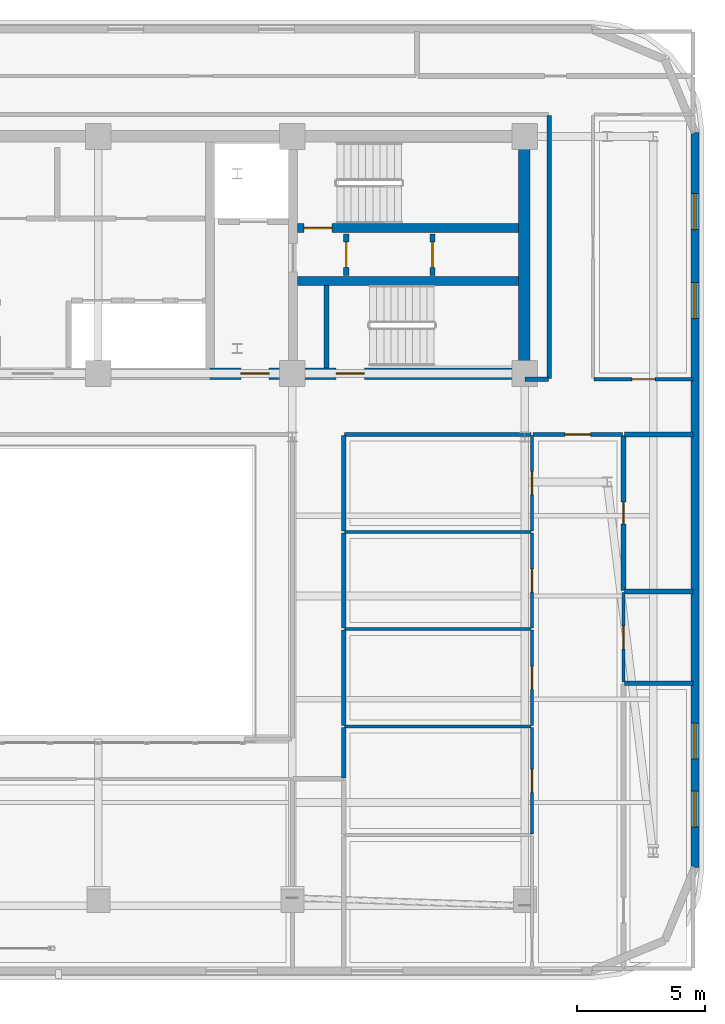
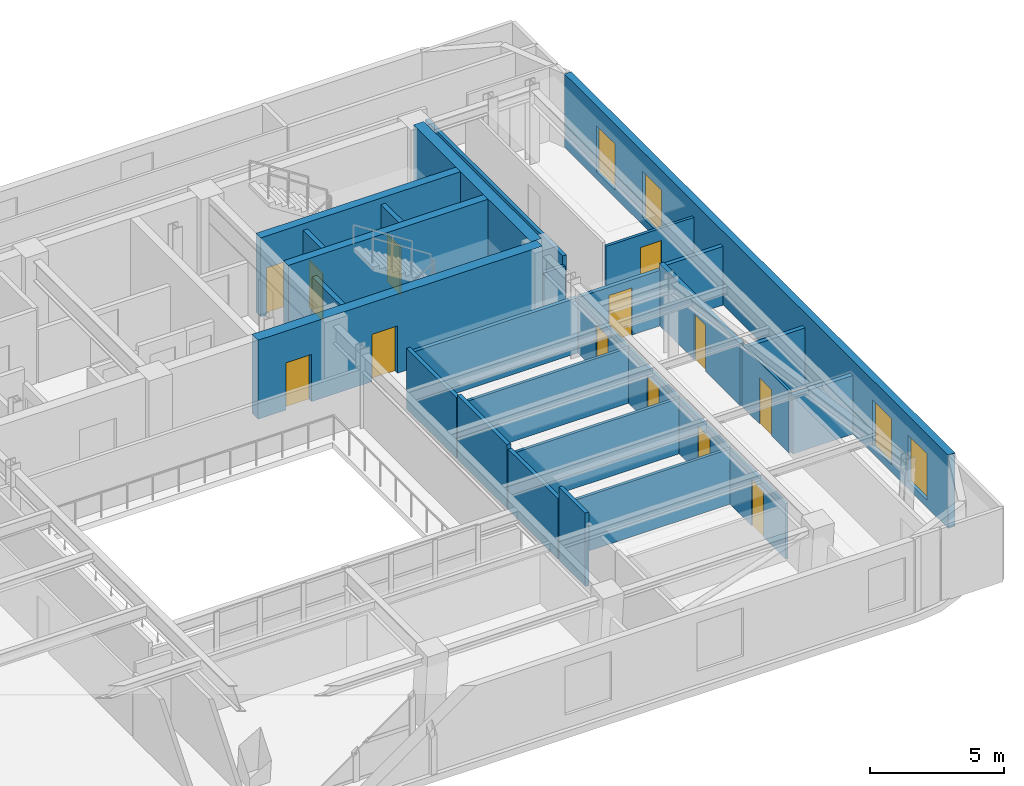
# One storey, part 8 of 13: 29 walls, 13 doors, 4 windows, 17 openings.
"""IFC4 building model written with IfcOpenShell, lengths in metres."""

from ifc_helpers import new_model, si_unit, direction, frame, frame_2d, origin, place, context, subcontext, project, spatial, rectangle, extrude, material, layer, layer_set, type_object, element, fill, save


model = new_model("IFC4")

# Units and contexts
model_context = context("Model", 3, precision=1e-05, world=origin(), true_north=direction((0.0, 1.0)))
body_context = subcontext(model_context, "Body", "Model", "MODEL_VIEW")
ifc_project = project(units=[si_unit("LENGTHUNIT", "METRE"), si_unit("AREAUNIT", "SQUARE_METRE"), si_unit("VOLUMEUNIT", "CUBIC_METRE"), si_unit("PLANEANGLEUNIT", "RADIAN"), si_unit("MASSUNIT", "GRAM", prefix="KILO")], contexts=[model_context])

# Site, building, storey
site_placement = place(None, origin())
site = spatial("IfcSite", under=ifc_project, at=site_placement, CompositionType="ELEMENT")
building_placement = place(site_placement, origin())
building = spatial("IfcBuilding", under=site, at=building_placement, Name="Zarnavel Station Tower", CompositionType="ELEMENT")
storey_placement = place(building_placement, frame((0.0, 0.0, 207.60009765625)))
storey = spatial("IfcBuildingStorey", under=building, at=storey_placement, Name="L56", CompositionType="ELEMENT", Elevation=207.60009765625)

# Wall, opening, door
ifc_material_1 = material(Name="Concrete C50/60", Category="concrete")
ifc_layer_1 = layer(ifc_material_1, 0.35009765625)
ifc_layer_set_1 = layer_set([ifc_layer_1], Name="CW_350")
wall_type_1 = type_object("IfcWallType", Name="CW_350", PredefinedType="SHEAR", material=ifc_layer_set_1)
wall_1_placement = place(storey_placement, frame((45.155029296875, 33.47998046875, 0.0), z_axis=(0.0, 0.0, 1.0), x_axis=(-1.0, 0.0, 0.0)))
wall_1 = element("IfcWall", 1, at=wall_1_placement, inside=storey, type_object=wall_type_1, Name="L56 Rear Core Shear Wall DIV-H2", PredefinedType="SHEAR", context=body_context, shape_type="SweptSolid", body=[
    extrude(rectangle(XDim=8.60009765625, YDim=0.35009765625, at=frame_2d((4.300048828125, 0.0))), origin(), (0.0, 0.0, 1.0), 3.599853515625),
])
opening_1_placement = place(wall_1_placement, frame((7.2548828125, 0.0, 0.0)))
opening_1 = element("IfcOpeningElement", 2, at=opening_1_placement, cuts=wall_1, Name="Opening FD01", PredefinedType="OPENING", context=body_context, shape_type="SweptSolid", body=[
    extrude(rectangle(XDim=1.10009765625, YDim=2.14990234375, at=frame_2d((0.550048828125, 1.074951171875))), frame((0.0, 0.18505859375, 0.0), z_axis=(0.0, -1.0, 0.0), x_axis=(1.0, 0.0, 0.0)), (0.0, 0.0, 1.0), 0.3701171875),
])
ifc_material_2 = material(Name="Painted Galvanised Steel and Hardwood Leaf", Category="steel")
door_type_1 = type_object("IfcDoorType", Name="ID_STAIR_1100", OperationType="NOTDEFINED", PredefinedType="DOOR", material=ifc_material_2)
door_1_placement = place(opening_1_placement, origin())
door_1 = element("IfcDoor", 3, at=door_1_placement, inside=storey, type_object=door_type_1, Name="L56 Stair ST2 Lobby Fire Door", OperationType="SINGLE_SWING_RIGHT", OverallHeight=2.14990234375, OverallWidth=1.10009765625, PredefinedType="DOOR", context=body_context, shape_type="SweptSolid", body=[
    extrude(rectangle(XDim=1.10009765625, YDim=2.14990234375, at=frame_2d((0.550048828125, 1.074951171875))), frame((0.0, 0.02490234375, 0.0), z_axis=(0.0, -1.0, 0.0), x_axis=(1.0, 0.0, 0.0)), (0.0, 0.0, 1.0), 0.050048828125),
])
fill(opening_1, door_1)

# Wall
wall_2_placement = place(storey_placement, frame((36.554931640625, 31.419921875, 0.0), z_axis=(0.0, 0.0, 1.0), x_axis=(1.0, 0.0, 0.0)))
element("IfcWall", 4, at=wall_2_placement, inside=storey, type_object=wall_type_1, Name="L56 Rear Core Shear Wall DIV-H3", PredefinedType="SHEAR", context=body_context, shape_type="SweptSolid", body=[
    extrude(rectangle(XDim=8.60009765625, YDim=0.35009765625, at=frame_2d((4.300048828125, 0.0))), origin(), (0.0, 0.0, 1.0), 3.599853515625),
])

# Wall, openings, doors
ifc_material_3 = material(Name="Concrete C50/60", Category="concrete")
ifc_layer_2 = layer(ifc_material_3, 0.449951171875)
ifc_layer_set_2 = layer_set([ifc_layer_2], Name="CW_450")
wall_type_2 = type_object("IfcWallType", Name="CW_450", PredefinedType="SHEAR", material=ifc_layer_set_2)
wall_3_placement = place(storey_placement, frame((45.3798828125, 27.820068359375, 0.0), z_axis=(0.0, 0.0, 1.0), x_axis=(-1.0, 0.0, 0.0)))
wall_3 = element("IfcWall", 5, at=wall_3_placement, inside=storey, type_object=wall_type_2, Name="L56 Rear Core Shear Wall S-E", PredefinedType="SHEAR", context=body_context, shape_type="SweptSolid", body=[
    extrude(rectangle(XDim=12.22998046875, YDim=0.449951171875, at=frame_2d((6.114990234375, 0.0))), origin(), (0.0, 0.0, 1.0), 3.599853515625),
])
opening_2_placement = place(wall_3_placement, frame((9.929931640625, 0.0, 0.0)))
opening_2 = element("IfcOpeningElement", 6, at=opening_2_placement, cuts=wall_3, Name="Opening FD01", PredefinedType="OPENING", context=body_context, shape_type="SweptSolid", body=[
    extrude(rectangle(XDim=1.10009765625, YDim=2.14990234375, at=frame_2d((0.550048828125, 1.074951171875))), frame((0.0, 0.23486328125, 0.0), z_axis=(0.0, -1.0, 0.0), x_axis=(1.0, 0.0, 0.0)), (0.0, 0.0, 1.0), 0.469970703125),
])
opening_3_placement = place(wall_3_placement, frame((6.22998046875, 0.0, 0.0)))
opening_3 = element("IfcOpeningElement", 7, at=opening_3_placement, cuts=wall_3, Name="Opening FD01", PredefinedType="OPENING", context=body_context, shape_type="SweptSolid", body=[
    extrude(rectangle(XDim=1.10009765625, YDim=2.14990234375, at=frame_2d((0.550048828125, 1.074951171875))), frame((0.0, 0.23486328125, 0.0), z_axis=(0.0, -1.0, 0.0), x_axis=(1.0, 0.0, 0.0)), (0.0, 0.0, 1.0), 0.469970703125),
])
door_2_placement = place(opening_2_placement, origin())
door_2 = element("IfcDoor", 8, at=door_2_placement, inside=storey, type_object=door_type_1, Name="L56 East Firefighting Lobby Door", OperationType="SINGLE_SWING_LEFT", OverallHeight=2.14990234375, OverallWidth=1.10009765625, PredefinedType="DOOR", context=body_context, shape_type="SweptSolid", body=[
    extrude(rectangle(XDim=1.10009765625, YDim=2.14990234375, at=frame_2d((0.550048828125, 1.074951171875))), frame((0.0, 0.02490234375, 0.0), z_axis=(0.0, -1.0, 0.0), x_axis=(1.0, 0.0, 0.0)), (0.0, 0.0, 1.0), 0.050048828125),
])
fill(opening_2, door_2)
door_3_placement = place(opening_3_placement, origin())
door_3 = element("IfcDoor", 9, at=door_3_placement, inside=storey, type_object=door_type_1, Name="L56 Stair ST3 Corridor Fire Door", OperationType="SINGLE_SWING_RIGHT", OverallHeight=2.14990234375, OverallWidth=1.10009765625, PredefinedType="DOOR", context=body_context, shape_type="SweptSolid", body=[
    extrude(rectangle(XDim=1.10009765625, YDim=2.14990234375, at=frame_2d((0.550048828125, 1.074951171875))), frame((0.0, 0.02490234375, 0.0), z_axis=(0.0, -1.0, 0.0), x_axis=(1.0, 0.0, 0.0)), (0.0, 0.0, 1.0), 0.050048828125),
])
fill(opening_3, door_3)

# Wall
wall_4_placement = place(storey_placement, frame((45.3798828125, 28.044921875, 0.0), z_axis=(0.0, 0.0, 1.0), x_axis=(0.0, 1.0, 0.0)))
element("IfcWall", 10, at=wall_4_placement, inside=storey, type_object=wall_type_2, Name="L56 Rear Core Shear Wall E", PredefinedType="SHEAR", context=body_context, shape_type="SweptSolid", body=[
    extrude(rectangle(XDim=8.780029296875, YDim=0.449951171875, at=frame_2d((4.39013671875, 0.0))), origin(), (0.0, 0.0, 1.0), 3.599853515625),
])

# Wall, openings, windows
ifc_material_4 = material(Name="Precast concrete C45/55 (Dark Basalt Finish)", Category="masonry")
ifc_layer_3 = layer(ifc_material_4, 0.300048828125)
ifc_layer_set_3 = layer_set([ifc_layer_3], Name="EW_BASALT_300")
wall_type_3 = type_object("IfcWallType", Name="EW_BASALT_300", PredefinedType="SOLIDWALL", material=ifc_layer_set_3)
wall_5_placement = place(storey_placement, frame((52.02001953125, 37.199951171875, 0.0), z_axis=(0.0, 0.0, 1.0), x_axis=(0.0, -1.0, 0.0)))
wall_5 = element("IfcWall", 11, at=wall_5_placement, inside=storey, type_object=wall_type_3, Name="L56 Exterior Basalt Masonry Frame Wall 03", PredefinedType="SOLIDWALL", context=body_context, shape_type="SweptSolid", body=[
    extrude(rectangle(XDim=28.599853515625, YDim=0.300048828125, at=frame_2d((14.2998046875, 0.0))), origin(), (0.0, 0.0, 1.0), 3.33984375),
])
opening_4_placement = place(wall_5_placement, frame((2.3798828125, 0.0, 0.340087890625)))
opening_4 = element("IfcOpeningElement", 12, at=opening_4_placement, cuts=wall_5, Name="Opening WN04", PredefinedType="OPENING", context=body_context, shape_type="SweptSolid", body=[
    extrude(rectangle(XDim=1.39990234375, YDim=2.10009765625, at=frame_2d((0.699951171875, 1.050048828125))), frame((0.0, 0.159912109375, 0.0), z_axis=(0.0, -1.0, 0.0), x_axis=(1.0, 0.0, 0.0)), (0.0, 0.0, 1.0), 0.320068359375),
])
opening_5_placement = place(wall_5_placement, frame((5.840087890625, 0.0, 0.340087890625)))
opening_5 = element("IfcOpeningElement", 13, at=opening_5_placement, cuts=wall_5, Name="Opening WN04", PredefinedType="OPENING", context=body_context, shape_type="SweptSolid", body=[
    extrude(rectangle(XDim=1.39990234375, YDim=2.10009765625, at=frame_2d((0.699951171875, 1.050048828125))), frame((0.0, 0.159912109375, 0.0), z_axis=(0.0, -1.0, 0.0), x_axis=(1.0, 0.0, 0.0)), (0.0, 0.0, 1.0), 0.320068359375),
])
opening_6_placement = place(wall_5_placement, frame((22.979248046875, 0.0, 0.340087890625)))
opening_6 = element("IfcOpeningElement", 14, at=opening_6_placement, cuts=wall_5, Name="Opening WN04", PredefinedType="OPENING", context=body_context, shape_type="SweptSolid", body=[
    extrude(rectangle(XDim=1.39990234375, YDim=2.10009765625, at=frame_2d((0.699951171875, 1.050048828125))), frame((0.0, 0.159912109375, 0.0), z_axis=(0.0, -1.0, 0.0), x_axis=(1.0, 0.0, 0.0)), (0.0, 0.0, 1.0), 0.320068359375),
])
opening_7_placement = place(wall_5_placement, frame((25.629638671875, 0.0, 0.340087890625)))
opening_7 = element("IfcOpeningElement", 15, at=opening_7_placement, cuts=wall_5, Name="Opening WN04", PredefinedType="OPENING", context=body_context, shape_type="SweptSolid", body=[
    extrude(rectangle(XDim=1.39990234375, YDim=2.10009765625, at=frame_2d((0.699951171875, 1.050048828125))), frame((0.0, 0.159912109375, 0.0), z_axis=(0.0, -1.0, 0.0), x_axis=(1.0, 0.0, 0.0)), (0.0, 0.0, 1.0), 0.320068359375),
])
ifc_material_5 = material(Name="Thermally Broken Black Aluminium and Low-E Dark Glass", Category="aluminium")
window_type = type_object("IfcWindowType", Name="WN_1400x2100", PartitioningType="DOUBLE_PANEL_VERTICAL", PredefinedType="WINDOW", material=ifc_material_5)
window_1_placement = place(opening_4_placement, origin())
window_1 = element("IfcWindow", 16, at=window_1_placement, inside=storey, type_object=window_type, Name="L56 Recessed Facade Window 01", OverallHeight=2.10009765625, OverallWidth=1.39990234375, PartitioningType="SINGLE_PANEL", PredefinedType="WINDOW", context=body_context, shape_type="SweptSolid", body=[
    extrude(rectangle(XDim=1.39990234375, YDim=2.10009765625, at=frame_2d((0.699951171875, 1.050048828125))), frame((0.0, 0.030029296875, 0.0), z_axis=(0.0, -1.0, 0.0), x_axis=(1.0, 0.0, 0.0)), (0.0, 0.0, 1.0), 0.06005859375),
])
fill(opening_4, window_1)
window_2_placement = place(opening_5_placement, origin())
window_2 = element("IfcWindow", 17, at=window_2_placement, inside=storey, type_object=window_type, Name="L56 Recessed Facade Window 02", OverallHeight=2.10009765625, OverallWidth=1.39990234375, PartitioningType="SINGLE_PANEL", PredefinedType="WINDOW", context=body_context, shape_type="SweptSolid", body=[
    extrude(rectangle(XDim=1.39990234375, YDim=2.10009765625, at=frame_2d((0.699951171875, 1.050048828125))), frame((0.0, 0.030029296875, 0.0), z_axis=(0.0, -1.0, 0.0), x_axis=(1.0, 0.0, 0.0)), (0.0, 0.0, 1.0), 0.06005859375),
])
fill(opening_5, window_2)
window_3_placement = place(opening_6_placement, origin())
window_3 = element("IfcWindow", 18, at=window_3_placement, inside=storey, type_object=window_type, Name="L56 Recessed Facade Window 03", OverallHeight=2.10009765625, OverallWidth=1.39990234375, PartitioningType="SINGLE_PANEL", PredefinedType="WINDOW", context=body_context, shape_type="SweptSolid", body=[
    extrude(rectangle(XDim=1.39990234375, YDim=2.10009765625, at=frame_2d((0.699951171875, 1.050048828125))), frame((0.0, 0.030029296875, 0.0), z_axis=(0.0, -1.0, 0.0), x_axis=(1.0, 0.0, 0.0)), (0.0, 0.0, 1.0), 0.06005859375),
])
fill(opening_6, window_3)
window_4_placement = place(opening_7_placement, origin())
window_4 = element("IfcWindow", 19, at=window_4_placement, inside=storey, type_object=window_type, Name="L56 Recessed Facade Window 04", OverallHeight=2.10009765625, OverallWidth=1.39990234375, PartitioningType="SINGLE_PANEL", PredefinedType="WINDOW", context=body_context, shape_type="SweptSolid", body=[
    extrude(rectangle(XDim=1.39990234375, YDim=2.10009765625, at=frame_2d((0.699951171875, 1.050048828125))), frame((0.0, 0.030029296875, 0.0), z_axis=(0.0, -1.0, 0.0), x_axis=(1.0, 0.0, 0.0)), (0.0, 0.0, 1.0), 0.06005859375),
])
fill(opening_7, window_4)

# Wall, opening, door
ifc_material_6 = material(Name="Gypsum Twin-Stud Acoustic Fire Partition", Category="concrete")
ifc_layer_4 = layer(ifc_material_6, 0.159912109375)
ifc_layer_set_4 = layer_set([ifc_layer_4], Name="PT_DEMISE_160")
wall_type_4 = type_object("IfcWallType", Name="PT_DEMISE_160", PredefinedType="PARTITIONING", material=ifc_layer_set_4)
wall_6_placement = place(storey_placement, frame((45.720947265625, 25.449951171875, 0.0), z_axis=(0.0, 0.0, 1.0), x_axis=(1.0, 0.0, 0.0)))
wall_6 = element("IfcWall", 20, at=wall_6_placement, inside=storey, type_object=wall_type_4, Name="L56 Partition COR-S-UE1LV", PredefinedType="PARTITIONING", context=body_context, shape_type="SweptSolid", body=[
    extrude(rectangle(XDim=3.47900390625, YDim=0.159912109375, at=frame_2d((1.739501953125, 0.0))), origin(), (0.0, 0.0, 1.0), 2.52001953125),
])
opening_8_placement = place(wall_6_placement, frame((1.239501953125, 0.0, 0.0)))
opening_8 = element("IfcOpeningElement", 21, at=opening_8_placement, cuts=wall_6, Name="Opening FD02", PredefinedType="OPENING", context=body_context, shape_type="SweptSolid", body=[
    extrude(rectangle(XDim=1.0, YDim=2.14990234375, at=frame_2d((0.5, 1.074951171875))), frame((0.0, 0.08984375, 0.0), z_axis=(0.0, -1.0, 0.0), x_axis=(1.0, 0.0, 0.0)), (0.0, 0.0, 1.0), 0.179931640625),
])
ifc_material_7 = material(Name="Painted Galvanised Steel and Hardwood Leaf", Category="steel")
door_type_2 = type_object("IfcDoorType", Name="ID_ENTRY_1000", OperationType="NOTDEFINED", PredefinedType="DOOR", material=ifc_material_7)
door_4_placement = place(opening_8_placement, origin())
door_4 = element("IfcDoor", 22, at=door_4_placement, inside=storey, type_object=door_type_2, Name="L56 Door COR-S-UE1LV", OperationType="SINGLE_SWING_LEFT", OverallHeight=2.14990234375, OverallWidth=1.0, PredefinedType="DOOR", context=body_context, shape_type="SweptSolid", body=[
    extrude(rectangle(XDim=1.0, YDim=2.14990234375, at=frame_2d((0.5, 1.074951171875))), frame((0.0, 0.02490234375, 0.0), z_axis=(0.0, -1.0, 0.0), x_axis=(1.0, 0.0, 0.0)), (0.0, 0.0, 1.0), 0.050048828125),
])
fill(opening_8, door_4)

# Walls
wall_7_placement = place(storey_placement, frame((38.389892578125, 25.449951171875, 0.0), z_axis=(0.0, 0.0, 1.0), x_axis=(1.0, 0.0, 0.0)))
element("IfcWall", 23, at=wall_7_placement, inside=storey, type_object=wall_type_4, Name="L56 Partition COR-S-UE1B5", PredefinedType="PARTITIONING", context=body_context, shape_type="SweptSolid", body=[
    extrude(rectangle(XDim=7.251220703125, YDim=0.159912109375, at=frame_2d((3.62548828125, 0.0))), origin(), (0.0, 0.0, 1.0), 2.52001953125),
])
wall_8_placement = place(storey_placement, frame((38.35009765625, 12.090087890625, 0.0), z_axis=(0.0, 0.0, 1.0), x_axis=(0.0, 1.0, 0.0)))
element("IfcWall", 24, at=wall_8_placement, inside=storey, type_object=wall_type_4, Name="L56 Partition COR-AE-UE1B2", PredefinedType="PARTITIONING", context=body_context, shape_type="SweptSolid", body=[
    extrude(rectangle(XDim=1.954833984375, YDim=0.159912109375, at=frame_2d((0.9775390625, 0.0))), origin(), (0.0, 0.0, 1.0), 3.33984375),
])
wall_9_placement = place(storey_placement, frame((38.35009765625, 14.125, 0.0), z_axis=(0.0, 0.0, 1.0), x_axis=(0.0, 1.0, 0.0)))
element("IfcWall", 25, at=wall_9_placement, inside=storey, type_object=wall_type_4, Name="L56 Partition COR-AE-UE1B3", PredefinedType="PARTITIONING", context=body_context, shape_type="SweptSolid", body=[
    extrude(rectangle(XDim=3.7080078125, YDim=0.159912109375, at=frame_2d((1.85400390625, 0.0))), origin(), (0.0, 0.0, 1.0), 2.77001953125),
])
wall_10_placement = place(storey_placement, frame((38.35009765625, 17.9130859375, 0.0), z_axis=(0.0, 0.0, 1.0), x_axis=(0.0, 1.0, 0.0)))
element("IfcWall", 26, at=wall_10_placement, inside=storey, type_object=wall_type_4, Name="L56 Partition COR-AE-UE1B4", PredefinedType="PARTITIONING", context=body_context, shape_type="SweptSolid", body=[
    extrude(rectangle(XDim=3.7080078125, YDim=0.159912109375, at=frame_2d((1.85400390625, 0.0))), origin(), (0.0, 0.0, 1.0), 2.929931640625),
])
wall_11_placement = place(storey_placement, frame((38.35009765625, 21.700927734375, 0.0), z_axis=(0.0, 0.0, 1.0), x_axis=(0.0, 1.0, 0.0)))
element("IfcWall", 27, at=wall_11_placement, inside=storey, type_object=wall_type_4, Name="L56 Partition COR-AE-UE1B5", PredefinedType="PARTITIONING", context=body_context, shape_type="SweptSolid", body=[
    extrude(rectangle(XDim=3.708984375, YDim=0.159912109375, at=frame_2d((1.8544921875, 0.0))), origin(), (0.0, 0.0, 1.0), 2.77001953125),
])
wall_12_placement = place(storey_placement, frame((45.409912109375, 27.60009765625, 0.0), z_axis=(0.0, 0.0, 1.0), x_axis=(1.0, 0.0, 0.0)))
element("IfcWall", 28, at=wall_12_placement, inside=storey, type_object=wall_type_4, Name="L56 Enclosure Wall COR-S", PredefinedType="PARTITIONING", context=body_context, shape_type="SweptSolid", body=[
    extrude(rectangle(XDim=0.91015625, YDim=0.159912109375, at=frame_2d((0.455078125, 0.0))), origin(), (0.0, 0.0, 1.0), 2.409912109375),
])
wall_13_placement = place(storey_placement, frame((46.35009765625, 27.6298828125, 0.0), z_axis=(0.0, 0.0, 1.0), x_axis=(0.0, 1.0, 0.0)))
element("IfcWall", 29, at=wall_13_placement, inside=storey, type_object=wall_type_4, Name="L56 Enclosure Wall COR-E", PredefinedType="PARTITIONING", context=body_context, shape_type="SweptSolid", body=[
    extrude(rectangle(XDim=10.240234375, YDim=0.159912109375, at=frame_2d((5.1201171875, 0.0))), origin(), (0.0, 0.0, 1.0), 2.81982421875),
])

# Wall, opening, door
ifc_material_8 = material(Name="Gypsum Metal-Stud Interior Partition", Category="concrete")
ifc_layer_5 = layer(ifc_material_8, 0.1201171875)
ifc_layer_set_5 = layer_set([ifc_layer_5], Name="PT_ROOM_120")
wall_type_5 = type_object("IfcWallType", Name="PT_ROOM_120", PredefinedType="PARTITIONING", material=ifc_layer_set_5)
wall_14_placement = place(storey_placement, frame((48.090087890625, 27.60009765625, 0.0), z_axis=(0.0, 0.0, 1.0), x_axis=(1.0, 0.0, 0.0)))
wall_14 = element("IfcWall", 30, at=wall_14_placement, inside=storey, type_object=wall_type_5, Name="L56 Partition COR-S-FNE", PredefinedType="PARTITIONING", context=body_context, shape_type="SweptSolid", body=[
    extrude(rectangle(XDim=3.849853515625, YDim=0.1201171875, at=frame_2d((1.9248046875, 0.0))), origin(), (0.0, 0.0, 1.0), 2.669921875),
])
opening_9_placement = place(wall_14_placement, frame((1.47509765625, 0.0, 0.0)))
opening_9 = element("IfcOpeningElement", 31, at=opening_9_placement, cuts=wall_14, Name="Opening ID01", PredefinedType="OPENING", context=body_context, shape_type="SweptSolid", body=[
    extrude(rectangle(XDim=0.89990234375, YDim=2.10009765625, at=frame_2d((0.449951171875, 1.050048828125))), frame((0.0, 0.070068359375, 0.0), z_axis=(0.0, -1.0, 0.0), x_axis=(1.0, 0.0, 0.0)), (0.0, 0.0, 1.0), 0.14013671875),
])
ifc_material_9 = material(Name="Painted Galvanised Steel and Hardwood Leaf", Category="steel")
door_type_3 = type_object("IfcDoorType", Name="ID_ROOM_900", OperationType="NOTDEFINED", PredefinedType="DOOR", material=ifc_material_9)
door_5_placement = place(opening_9_placement, origin())
door_5 = element("IfcDoor", 32, at=door_5_placement, inside=storey, type_object=door_type_3, Name="L56 Door COR-S-FNE", OperationType="SINGLE_SWING_RIGHT", OverallHeight=2.10009765625, OverallWidth=0.89990234375, PredefinedType="DOOR", context=body_context, shape_type="SweptSolid", body=[
    extrude(rectangle(XDim=0.89990234375, YDim=2.10009765625, at=frame_2d((0.449951171875, 1.050048828125))), frame((0.0, 0.02490234375, 0.0), z_axis=(0.0, -1.0, 0.0), x_axis=(1.0, 0.0, 0.0)), (0.0, 0.0, 1.0), 0.050048828125),
])
fill(opening_9, door_5)

wall_15_placement = place(storey_placement, frame((49.239990234375, 15.81103515625, 0.0), z_axis=(0.0, 0.0, 1.0), x_axis=(0.0, 1.0, 0.0)))
wall_15 = element("IfcWall", 33, at=wall_15_placement, inside=storey, type_object=wall_type_5, Name="L56 Partition UE1LV-UE1UT", PredefinedType="PARTITIONING", context=body_context, shape_type="SweptSolid", body=[
    extrude(rectangle(XDim=3.488037109375, YDim=0.1201171875, at=frame_2d((1.744140625, 0.0))), origin(), (0.0, 0.0, 1.0), 2.81982421875),
])
opening_10_placement = place(wall_15_placement, frame((1.2939453125, 0.0, 0.0)))
opening_10 = element("IfcOpeningElement", 34, at=opening_10_placement, cuts=wall_15, Name="Opening ID01", PredefinedType="OPENING", context=body_context, shape_type="SweptSolid", body=[
    extrude(rectangle(XDim=0.89990234375, YDim=2.10009765625, at=frame_2d((0.449951171875, 1.050048828125))), frame((0.0, 0.070068359375, 0.0), z_axis=(0.0, -1.0, 0.0), x_axis=(1.0, 0.0, 0.0)), (0.0, 0.0, 1.0), 0.14013671875),
])
door_6_placement = place(opening_10_placement, origin())
door_6 = element("IfcDoor", 35, at=door_6_placement, inside=storey, type_object=door_type_3, Name="L56 Door UE1LV-UE1UT", OperationType="SINGLE_SWING_RIGHT", OverallHeight=2.10009765625, OverallWidth=0.89990234375, PredefinedType="DOOR", context=body_context, shape_type="SweptSolid", body=[
    extrude(rectangle(XDim=0.89990234375, YDim=2.10009765625, at=frame_2d((0.449951171875, 1.050048828125))), frame((0.0, 0.02490234375, 0.0), z_axis=(0.0, -1.0, 0.0), x_axis=(1.0, 0.0, 0.0)), (0.0, 0.0, 1.0), 0.050048828125),
])
fill(opening_10, door_6)

wall_16_placement = place(storey_placement, frame((45.680908203125, 9.89697265625, 0.0), z_axis=(0.0, 0.0, 1.0), x_axis=(0.0, 1.0, 0.0)))
wall_16 = element("IfcWall", 36, at=wall_16_placement, inside=storey, type_object=wall_type_5, Name="L56 Partition UE1LV-UE1B2", PredefinedType="PARTITIONING", context=body_context, shape_type="SweptSolid", body=[
    extrude(rectangle(XDim=4.14794921875, YDim=0.1201171875, at=frame_2d((2.073974609375, 0.0))), origin(), (0.0, 0.0, 1.0), 2.52001953125),
])
opening_11_placement = place(wall_16_placement, frame((1.6240234375, 0.0, 0.0)))
opening_11 = element("IfcOpeningElement", 37, at=opening_11_placement, cuts=wall_16, Name="Opening ID01", PredefinedType="OPENING", context=body_context, shape_type="SweptSolid", body=[
    extrude(rectangle(XDim=0.89990234375, YDim=2.10009765625, at=frame_2d((0.449951171875, 1.050048828125))), frame((0.0, 0.070068359375, 0.0), z_axis=(0.0, -1.0, 0.0), x_axis=(1.0, 0.0, 0.0)), (0.0, 0.0, 1.0), 0.14013671875),
])
door_7_placement = place(opening_11_placement, origin())
door_7 = element("IfcDoor", 38, at=door_7_placement, inside=storey, type_object=door_type_3, Name="L56 Door UE1LV-UE1B2", OperationType="SINGLE_SWING_LEFT", OverallHeight=2.10009765625, OverallWidth=0.89990234375, PredefinedType="DOOR", context=body_context, shape_type="SweptSolid", body=[
    extrude(rectangle(XDim=0.89990234375, YDim=2.10009765625, at=frame_2d((0.449951171875, 1.050048828125))), frame((0.0, 0.02490234375, 0.0), z_axis=(0.0, -1.0, 0.0), x_axis=(1.0, 0.0, 0.0)), (0.0, 0.0, 1.0), 0.050048828125),
])
fill(opening_11, door_7)

wall_17_placement = place(storey_placement, frame((45.680908203125, 14.125, 0.0), z_axis=(0.0, 0.0, 1.0), x_axis=(0.0, 1.0, 0.0)))
wall_17 = element("IfcWall", 39, at=wall_17_placement, inside=storey, type_object=wall_type_5, Name="L56 Partition UE1LV-UE1B3", PredefinedType="PARTITIONING", context=body_context, shape_type="SweptSolid", body=[
    extrude(rectangle(XDim=3.7080078125, YDim=0.1201171875, at=frame_2d((1.85400390625, 0.0))), origin(), (0.0, 0.0, 1.0), 2.52001953125),
])
opening_12_placement = place(wall_17_placement, frame((1.404052734375, 0.0, 0.0)))
opening_12 = element("IfcOpeningElement", 40, at=opening_12_placement, cuts=wall_17, Name="Opening ID01", PredefinedType="OPENING", context=body_context, shape_type="SweptSolid", body=[
    extrude(rectangle(XDim=0.89990234375, YDim=2.10009765625, at=frame_2d((0.449951171875, 1.050048828125))), frame((0.0, 0.070068359375, 0.0), z_axis=(0.0, -1.0, 0.0), x_axis=(1.0, 0.0, 0.0)), (0.0, 0.0, 1.0), 0.14013671875),
])
door_8_placement = place(opening_12_placement, origin())
door_8 = element("IfcDoor", 41, at=door_8_placement, inside=storey, type_object=door_type_3, Name="L56 Door UE1LV-UE1B3", OperationType="SINGLE_SWING_RIGHT", OverallHeight=2.10009765625, OverallWidth=0.89990234375, PredefinedType="DOOR", context=body_context, shape_type="SweptSolid", body=[
    extrude(rectangle(XDim=0.89990234375, YDim=2.10009765625, at=frame_2d((0.449951171875, 1.050048828125))), frame((0.0, 0.02490234375, 0.0), z_axis=(0.0, -1.0, 0.0), x_axis=(1.0, 0.0, 0.0)), (0.0, 0.0, 1.0), 0.050048828125),
])
fill(opening_12, door_8)

wall_18_placement = place(storey_placement, frame((45.680908203125, 17.9130859375, 0.0), z_axis=(0.0, 0.0, 1.0), x_axis=(0.0, 1.0, 0.0)))
wall_18 = element("IfcWall", 42, at=wall_18_placement, inside=storey, type_object=wall_type_5, Name="L56 Partition UE1LV-UE1B4", PredefinedType="PARTITIONING", context=body_context, shape_type="SweptSolid", body=[
    extrude(rectangle(XDim=3.7080078125, YDim=0.1201171875, at=frame_2d((1.85400390625, 0.0))), origin(), (0.0, 0.0, 1.0), 2.52001953125),
])
opening_13_placement = place(wall_18_placement, frame((1.404052734375, 0.0, 0.0)))
opening_13 = element("IfcOpeningElement", 43, at=opening_13_placement, cuts=wall_18, Name="Opening ID01", PredefinedType="OPENING", context=body_context, shape_type="SweptSolid", body=[
    extrude(rectangle(XDim=0.89990234375, YDim=2.10009765625, at=frame_2d((0.449951171875, 1.050048828125))), frame((0.0, 0.070068359375, 0.0), z_axis=(0.0, -1.0, 0.0), x_axis=(1.0, 0.0, 0.0)), (0.0, 0.0, 1.0), 0.14013671875),
])
door_9_placement = place(opening_13_placement, origin())
door_9 = element("IfcDoor", 44, at=door_9_placement, inside=storey, type_object=door_type_3, Name="L56 Door UE1LV-UE1B4", OperationType="SINGLE_SWING_LEFT", OverallHeight=2.10009765625, OverallWidth=0.89990234375, PredefinedType="DOOR", context=body_context, shape_type="SweptSolid", body=[
    extrude(rectangle(XDim=0.89990234375, YDim=2.10009765625, at=frame_2d((0.449951171875, 1.050048828125))), frame((0.0, 0.02490234375, 0.0), z_axis=(0.0, -1.0, 0.0), x_axis=(1.0, 0.0, 0.0)), (0.0, 0.0, 1.0), 0.050048828125),
])
fill(opening_13, door_9)

wall_19_placement = place(storey_placement, frame((45.680908203125, 21.700927734375, 0.0), z_axis=(0.0, 0.0, 1.0), x_axis=(0.0, 1.0, 0.0)))
wall_19 = element("IfcWall", 45, at=wall_19_placement, inside=storey, type_object=wall_type_5, Name="L56 Partition UE1LV-UE1B5", PredefinedType="PARTITIONING", context=body_context, shape_type="SweptSolid", body=[
    extrude(rectangle(XDim=3.708984375, YDim=0.1201171875, at=frame_2d((1.8544921875, 0.0))), origin(), (0.0, 0.0, 1.0), 2.52001953125),
])
opening_14_placement = place(wall_19_placement, frame((1.404541015625, 0.0, 0.0)))
opening_14 = element("IfcOpeningElement", 46, at=opening_14_placement, cuts=wall_19, Name="Opening ID01", PredefinedType="OPENING", context=body_context, shape_type="SweptSolid", body=[
    extrude(rectangle(XDim=0.89990234375, YDim=2.10009765625, at=frame_2d((0.449951171875, 1.050048828125))), frame((0.0, 0.070068359375, 0.0), z_axis=(0.0, -1.0, 0.0), x_axis=(1.0, 0.0, 0.0)), (0.0, 0.0, 1.0), 0.14013671875),
])
door_10_placement = place(opening_14_placement, origin())
door_10 = element("IfcDoor", 47, at=door_10_placement, inside=storey, type_object=door_type_3, Name="L56 Door UE1LV-UE1B5", OperationType="SINGLE_SWING_RIGHT", OverallHeight=2.10009765625, OverallWidth=0.89990234375, PredefinedType="DOOR", context=body_context, shape_type="SweptSolid", body=[
    extrude(rectangle(XDim=0.89990234375, YDim=2.10009765625, at=frame_2d((0.449951171875, 1.050048828125))), frame((0.0, 0.02490234375, 0.0), z_axis=(0.0, -1.0, 0.0), x_axis=(1.0, 0.0, 0.0)), (0.0, 0.0, 1.0), 0.050048828125),
])
fill(opening_14, door_10)

# Walls
for number, where, z_axis, x_axis, name in (
    (48, (38.389892578125, 14.0849609375, 0.0), (0.0, 0.0, 1.0), (1.0, 0.0, 0.0), "L56 Partition UE1B2-UE1B3"),
    (49, (38.389892578125, 17.873046875, 0.0), (0.0, 0.0, 1.0), (1.0, 0.0, 0.0), "L56 Partition UE1B3-UE1B4"),
    (50, (38.389892578125, 21.660888671875, 0.0), (0.0, 0.0, 1.0), (1.0, 0.0, 0.0), "L56 Partition UE1B4-UE1B5"),
):
    element("IfcWall", number, at=place(storey_placement, frame(where, z_axis=z_axis, x_axis=x_axis)), inside=storey, type_object=wall_type_5, Name=name, PredefinedType="PARTITIONING", context=body_context, shape_type="SweptSolid", body=[
        extrude(rectangle(XDim=7.251220703125, YDim=0.1201171875, at=frame_2d((3.62548828125, 0.0))), origin(), (0.0, 0.0, 1.0), 2.52001953125),
    ])
ifc_material_10 = material(Name="Precast concrete C45/55 (Fire Shaft Blockwork)", Category="masonry")
ifc_layer_6 = layer(ifc_material_10, 0.199951171875)
ifc_layer_set_6 = layer_set([ifc_layer_6], Name="PT_SHAFT_200")
wall_type_6 = type_object("IfcWallType", Name="PT_SHAFT_200", PredefinedType="PARTITIONING", material=ifc_layer_set_6)
wall_20_placement = place(storey_placement, frame((37.679931640625, 28.044921875, 0.0), z_axis=(0.0, 0.0, 1.0), x_axis=(0.0, 1.0, 0.0)))
element("IfcWall", 51, at=wall_20_placement, inside=storey, type_object=wall_type_6, Name="L56 Stair ST3 West Shaft Wall", PredefinedType="PARTITIONING", context=body_context, shape_type="SweptSolid", body=[
    extrude(rectangle(XDim=3.205078125, YDim=0.199951171875, at=frame_2d((1.6025390625, 0.0))), origin(), (0.0, 0.0, 1.0), 2.719970703125),
])

# Wall, opening, door
wall_21_placement = place(storey_placement, frame((38.449951171875, 31.639892578125, 0.0), z_axis=(0.0, 0.0, 1.0), x_axis=(0.0, 1.0, 0.0)))
wall_21 = element("IfcWall", 52, at=wall_21_placement, inside=storey, type_object=wall_type_6, Name="L56 Partition ESTV-CEA", PredefinedType="PARTITIONING", context=body_context, shape_type="SweptSolid", body=[
    extrude(rectangle(XDim=1.6201171875, YDim=0.199951171875, at=frame_2d((0.81005859375, 0.0))), origin(), (0.0, 0.0, 1.0), 3.33984375),
])
opening_15_placement = place(wall_21_placement, frame((0.31005859375, 0.0, 0.0)))
opening_15 = element("IfcOpeningElement", 53, at=opening_15_placement, cuts=wall_21, Name="Opening FD02", PredefinedType="OPENING", context=body_context, shape_type="SweptSolid", body=[
    extrude(rectangle(XDim=1.0, YDim=2.14990234375, at=frame_2d((0.5, 1.074951171875))), frame((0.0, 0.10986328125, 0.0), z_axis=(0.0, -1.0, 0.0), x_axis=(1.0, 0.0, 0.0)), (0.0, 0.0, 1.0), 0.219970703125),
])
door_11_placement = place(opening_15_placement, origin())
door_11 = element("IfcDoor", 54, at=door_11_placement, inside=storey, type_object=door_type_2, Name="L56 Door ESTV-CEA", OperationType="SINGLE_SWING_RIGHT", OverallHeight=2.14990234375, OverallWidth=1.0, PredefinedType="DOOR", context=body_context, shape_type="SweptSolid", body=[
    extrude(rectangle(XDim=1.0, YDim=2.14990234375, at=frame_2d((0.5, 1.074951171875))), frame((0.0, 0.02490234375, 0.0), z_axis=(0.0, -1.0, 0.0), x_axis=(1.0, 0.0, 0.0)), (0.0, 0.0, 1.0), 0.050048828125),
])
fill(opening_15, door_11)

wall_22_placement = place(storey_placement, frame((41.800048828125, 31.639892578125, 0.0), z_axis=(0.0, 0.0, 1.0), x_axis=(0.0, 1.0, 0.0)))
wall_22 = element("IfcWall", 55, at=wall_22_placement, inside=storey, type_object=wall_type_6, Name="L56 Partition CEA-CEB", PredefinedType="PARTITIONING", context=body_context, shape_type="SweptSolid", body=[
    extrude(rectangle(XDim=1.6201171875, YDim=0.199951171875, at=frame_2d((0.81005859375, 0.0))), origin(), (0.0, 0.0, 1.0), 3.33984375),
])
opening_16_placement = place(wall_22_placement, frame((0.31005859375, 0.0, 0.0)))
opening_16 = element("IfcOpeningElement", 56, at=opening_16_placement, cuts=wall_22, Name="Opening FD02", PredefinedType="OPENING", context=body_context, shape_type="SweptSolid", body=[
    extrude(rectangle(XDim=1.0, YDim=2.14990234375, at=frame_2d((0.5, 1.074951171875))), frame((0.0, 0.10986328125, 0.0), z_axis=(0.0, -1.0, 0.0), x_axis=(1.0, 0.0, 0.0)), (0.0, 0.0, 1.0), 0.219970703125),
])
door_12_placement = place(opening_16_placement, origin())
door_12 = element("IfcDoor", 57, at=door_12_placement, inside=storey, type_object=door_type_2, Name="L56 Door CEA-CEB", OperationType="SINGLE_SWING_LEFT", OverallHeight=2.14990234375, OverallWidth=1.0, PredefinedType="DOOR", context=body_context, shape_type="SweptSolid", body=[
    extrude(rectangle(XDim=1.0, YDim=2.14990234375, at=frame_2d((0.5, 1.074951171875))), frame((0.0, 0.02490234375, 0.0), z_axis=(0.0, -1.0, 0.0), x_axis=(1.0, 0.0, 0.0)), (0.0, 0.0, 1.0), 0.050048828125),
])
fill(opening_16, door_12)

# Wall
ifc_material_11 = material(Name="Moisture-Resistant Plumbing Chase Wall", Category="concrete")
ifc_layer_7 = layer(ifc_material_11, 0.179931640625)
ifc_layer_set_7 = layer_set([ifc_layer_7], Name="PW_PLUMB_180")
wall_type_7 = type_object("IfcWallType", Name="PW_PLUMB_180", PredefinedType="PLUMBINGWALL", material=ifc_layer_set_7)
wall_23_placement = place(storey_placement, frame((49.280029296875, 25.449951171875, 0.0), z_axis=(0.0, 0.0, 1.0), x_axis=(1.0, 0.0, 0.0)))
element("IfcWall", 58, at=wall_23_placement, inside=storey, type_object=wall_type_7, Name="L56 Partition COR-S-UE1BA", PredefinedType="PLUMBINGWALL", context=body_context, shape_type="SweptSolid", body=[
    extrude(rectangle(XDim=2.659912109375, YDim=0.179931640625, at=frame_2d((1.330078125, 0.0))), origin(), (0.0, 0.0, 1.0), 2.669921875),
])

# Wall, opening, door
wall_24_placement = place(storey_placement, frame((49.239990234375, 19.37890625, 0.0), z_axis=(0.0, 0.0, 1.0), x_axis=(0.0, 1.0, 0.0)))
wall_24 = element("IfcWall", 59, at=wall_24_placement, inside=storey, type_object=wall_type_7, Name="L56 Partition UE1LV-UE1BA", PredefinedType="PLUMBINGWALL", context=body_context, shape_type="SweptSolid", body=[
    extrude(rectangle(XDim=6.031005859375, YDim=0.179931640625, at=frame_2d((3.015625, 0.0))), origin(), (0.0, 0.0, 1.0), 2.81982421875),
])
opening_17_placement = place(wall_24_placement, frame((2.590576171875, 0.0, 0.0)))
opening_17 = element("IfcOpeningElement", 60, at=opening_17_placement, cuts=wall_24, Name="Opening ID02", PredefinedType="OPENING", context=body_context, shape_type="SweptSolid", body=[
    extrude(rectangle(XDim=0.85009765625, YDim=2.10009765625, at=frame_2d((0.425048828125, 1.050048828125))), frame((0.0, 0.099853515625, 0.0), z_axis=(0.0, -1.0, 0.0), x_axis=(1.0, 0.0, 0.0)), (0.0, 0.0, 1.0), 0.199951171875),
])
ifc_material_12 = material(Name="Painted Galvanised Steel and Hardwood Leaf", Category="steel")
door_type_4 = type_object("IfcDoorType", Name="ID_BATH_850", OperationType="NOTDEFINED", PredefinedType="DOOR", material=ifc_material_12)
door_13_placement = place(opening_17_placement, origin())
door_13 = element("IfcDoor", 61, at=door_13_placement, inside=storey, type_object=door_type_4, Name="L56 Door UE1LV-UE1BA", OperationType="SINGLE_SWING_LEFT", OverallHeight=2.10009765625, OverallWidth=0.85009765625, PredefinedType="DOOR", context=body_context, shape_type="SweptSolid", body=[
    extrude(rectangle(XDim=0.85009765625, YDim=2.10009765625, at=frame_2d((0.425048828125, 1.050048828125))), frame((0.0, 0.02490234375, 0.0), z_axis=(0.0, -1.0, 0.0), x_axis=(1.0, 0.0, 0.0)), (0.0, 0.0, 1.0), 0.050048828125),
])
fill(opening_17, door_13)

# Walls
for number, where, z_axis, x_axis, name in (
    (62, (49.280029296875, 15.77099609375, 0.0), (0.0, 0.0, 1.0), (1.0, 0.0, 0.0), "L56 Partition UE1KT-UE1UT"),
    (63, (49.280029296875, 19.339111328125, 0.0), (0.0, 0.0, 1.0), (1.0, 0.0, 0.0), "L56 Partition UE1UT-UE1BA"),
):
    element("IfcWall", number, at=place(storey_placement, frame(where, z_axis=z_axis, x_axis=x_axis)), inside=storey, type_object=wall_type_7, Name=name, PredefinedType="PLUMBINGWALL", context=body_context, shape_type="SweptSolid", body=[
        extrude(rectangle(XDim=2.659912109375, YDim=0.179931640625, at=frame_2d((1.330078125, 0.0))), origin(), (0.0, 0.0, 1.0), 2.669921875),
    ])

save(model, "model.ifc")
